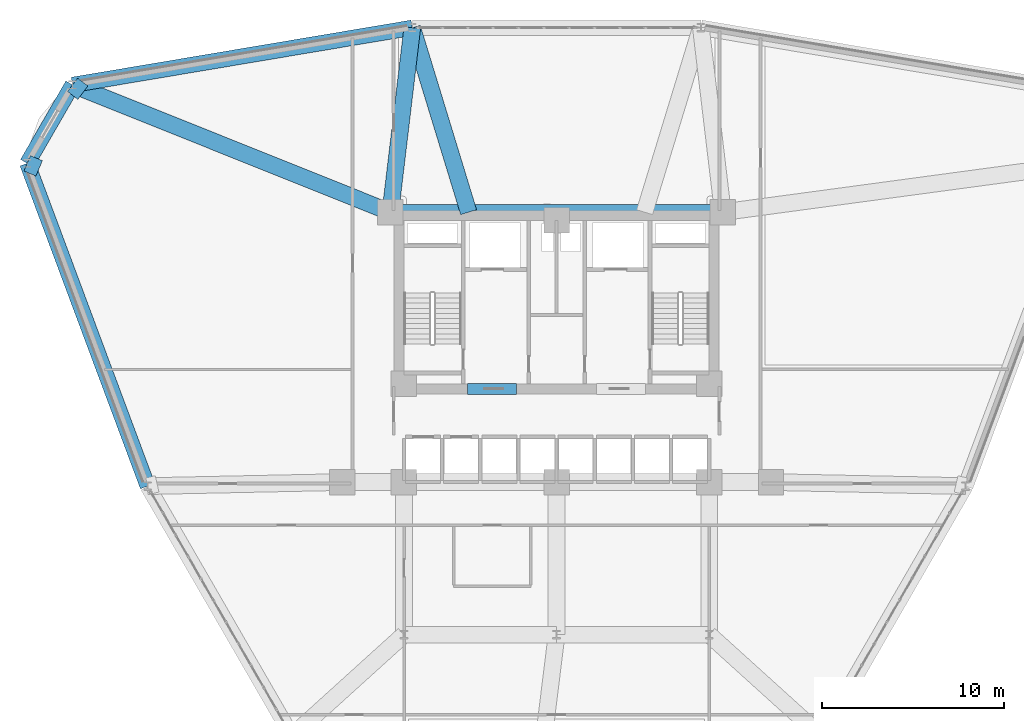
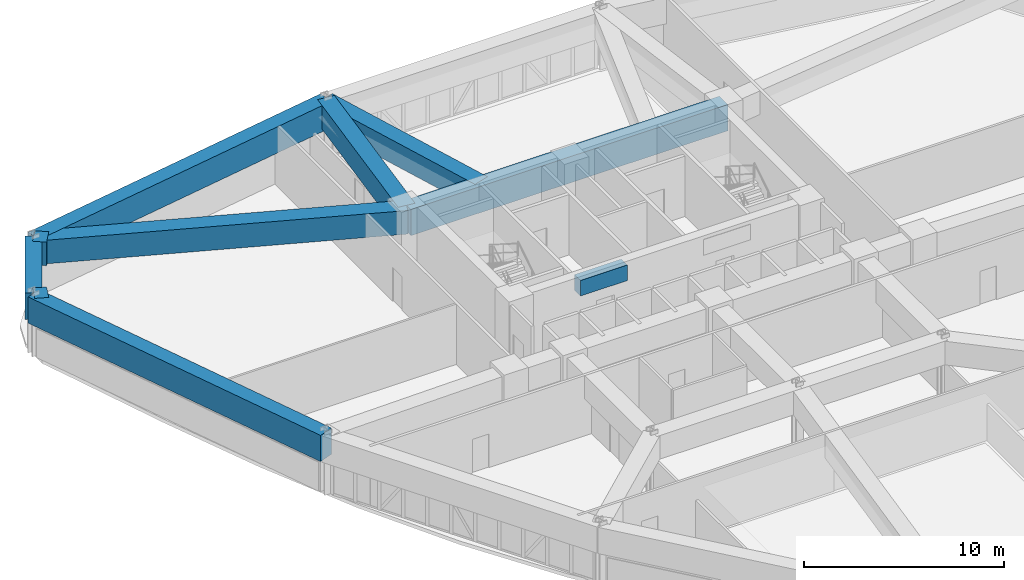
# One storey, part 10 of 20: 10 beams.
"""IFC4 building model written with IfcOpenShell, lengths in metres."""

from ifc_helpers import new_model, si_unit, derived_unit, direction, frame, origin, origin_2d, place, context, subcontext, project, spatial, rectangle, extrude, source, transform, mapped, material, material_profile, profile_set, type_object, element, save


model = new_model("IFC4")

# Units and contexts
model_context = context("Model", 3, precision=1e-05, world=origin(), true_north=direction((0.0, 1.0)))
body_context = subcontext(model_context, "Body", "Model", "MODEL_VIEW")
ifc_project = project(units=[si_unit("LENGTHUNIT", "METRE"), si_unit("AREAUNIT", "SQUARE_METRE"), si_unit("VOLUMEUNIT", "CUBIC_METRE"), si_unit("PLANEANGLEUNIT", "RADIAN"), si_unit("MASSUNIT", "GRAM", prefix="KILO"), derived_unit("THERMALTRANSMITTANCEUNIT", [(si_unit("POWERUNIT", "WATT"), 1), (si_unit("LENGTHUNIT", "METRE"), -2), (si_unit("THERMODYNAMICTEMPERATUREUNIT", "KELVIN"), -1)])], contexts=[model_context])

# Site, building, storey
site_placement = place(None, origin())
site = spatial("IfcSite", under=ifc_project, at=site_placement, CompositionType="ELEMENT")
building_placement = place(site_placement, origin())
building = spatial("IfcBuilding", under=site, at=building_placement, Name="Korsvarv Bourse and Concert Hall", CompositionType="ELEMENT")
storey_placement = place(building_placement, frame((0.0, 0.0, 43.5)))
storey = spatial("IfcBuildingStorey", under=building, at=storey_placement, Name="L10", CompositionType="ELEMENT", Elevation=43.5)

# Beams
ifc_material_1 = material(Name="Concrete C55/67", Category="concrete")
ifc_material_profile_1 = material_profile(ifc_material_1, rectangle(XDim=0.60009765625, YDim=0.949951171875, at=origin_2d()), Name="RC-BM 600x950")
ifc_profile_set_1 = profile_set([ifc_material_profile_1], Name="Concrete C55/67")
beam_type_1 = type_object("IfcBeamType", Name="BM-CPL", PredefinedType="LINTEL", material=ifc_profile_set_1)
shared_shape_1 = source(origin(), body_context, "Body", "SweptSolid", [
    extrude(rectangle(XDim=0.60009765625, YDim=0.949951171875, at=origin_2d()), origin(), (0.0, 0.0, 1.0), 2.699951171875),
])
beam_1_placement = place(storey_placement, frame((31.10009765625, 37.52490234375, 3.205078125), z_axis=(1.0, 0.0, 0.0), x_axis=(0.0, 1.0, 0.0)))
element("IfcBeam", 1, at=beam_1_placement, inside=storey, type_object=beam_type_1, Name="L10 Core Coupling Beam West", PredefinedType="LINTEL", context=body_context, shape_type="MappedRepresentation", body=[
    mapped(shared_shape_1, transform((0.0, 0.0, 0.0), scale=1.0)),
])
ifc_material_profile_2 = material_profile(ifc_material_1, rectangle(XDim=0.85009765625, YDim=1.60009765625, at=origin_2d()), Name="RC-BM 850x1600")
ifc_profile_set_2 = profile_set([ifc_material_profile_2], Name="Concrete C55/67")
beam_type_2 = type_object("IfcBeamType", Name="BM-TR1B", PredefinedType="BEAM", material=ifc_profile_set_2)
shared_shape_2 = source(origin(), body_context, "Body", "SweptSolid", [
    extrude(rectangle(XDim=0.85009765625, YDim=1.60009765625, at=origin_2d()), origin(), (0.0, 0.0, 1.0), 18.2998046875),
])
beam_2_placement = place(storey_placement, frame((26.85009765625, 47.25, 2.8798828125), z_axis=(1.0, 0.0, 0.0), x_axis=(0.0, 1.0, 0.0)))
element("IfcBeam", 2, at=beam_2_placement, inside=storey, type_object=beam_type_2, Name="L10 beam B-TR2", PredefinedType="BEAM", context=body_context, shape_type="MappedRepresentation", body=[
    mapped(shared_shape_2, transform((0.0, 0.0, 0.0), scale=1.0)),
])
shared_shape_3 = source(origin(), body_context, "Body", "SweptSolid", [
    extrude(rectangle(XDim=0.85009765625, YDim=1.60009765625, at=origin_2d()), origin(), (0.0, 0.0, 1.0), 4.985595703125),
])
beam_3_placement = place(storey_placement, frame((9.36279296875, 54.25732421875, 2.8798828125), z_axis=(-0.499983857782, -0.866034723298, 0.0), x_axis=(0.866034723298, -0.499983857782, 0.0)))
element("IfcBeam", 3, at=beam_3_placement, inside=storey, type_object=beam_type_2, Name="L10 beam B-TR2", PredefinedType="BEAM", context=body_context, shape_type="MappedRepresentation", body=[
    mapped(shared_shape_3, transform((0.0, 0.0, 0.0), scale=1.0)),
])
shared_shape_4 = source(origin(), body_context, "Body", "SweptSolid", [
    extrude(rectangle(XDim=0.85009765625, YDim=1.60009765625, at=origin_2d()), origin(), (0.0, 0.0, 1.0), 18.95849609375),
])
for number, where, z_axis, x_axis, name in (
    (4, (28.058837890625, 57.401611328125, 2.8798828125), (-0.98615096674, -0.16585014561, 0.0), (0.16585014561, -0.98615096674, 0.0), "L10 beam B-TR2"),
    (5, (6.8701171875, 49.939697265625, 2.8798828125), (0.349449133057, -0.936955336932, 0.0), (0.936955336932, 0.349449133057, 0.0), "L10 beam B-TR2"),
):
    element("IfcBeam", number, at=place(storey_placement, frame(where, z_axis=z_axis, x_axis=x_axis)), inside=storey, type_object=beam_type_2, Name=name, PredefinedType="BEAM", context=body_context, shape_type="MappedRepresentation", body=[
        mapped(shared_shape_4, transform((0.0, 0.0, 0.0), scale=1.0)),
    ])
ifc_material_2 = material(Name="Concrete C50/60", Category="concrete")
ifc_material_profile_3 = material_profile(ifc_material_2, rectangle(XDim=0.919921875, YDim=1.43994140625, at=origin_2d()), Name="RC-BM 920x1440")
ifc_profile_set_3 = profile_set([ifc_material_profile_3], Name="Concrete C50/60")
beam_type_3 = type_object("IfcBeamType", Name="BM-TR-144", PredefinedType="BEAM", material=ifc_profile_set_3)
shared_shape_5 = source(origin(), body_context, "Body", "SweptSolid", [
    extrude(rectangle(XDim=0.919921875, YDim=1.43994140625, at=origin_2d()), origin(), (0.0, 0.0, 1.0), 10.223388671875),
])
beam_4_placement = place(storey_placement, frame((28.058837890625, 57.401611328125, 2.9599609375), z_axis=(-0.118233633582, -0.992985804476, 0.0), x_axis=(0.992985804476, -0.118233633582, 0.0)))
element("IfcBeam", 6, at=beam_4_placement, inside=storey, type_object=beam_type_3, Name="L10 beam B-TR4", PredefinedType="BEAM", context=body_context, shape_type="MappedRepresentation", body=[
    mapped(shared_shape_5, transform((0.0, 0.0, 0.0), scale=1.0)),
])
shared_shape_6 = source(origin(), body_context, "Body", "SweptSolid", [
    extrude(rectangle(XDim=0.919921875, YDim=1.43994140625, at=origin_2d()), origin(), (0.0, 0.0, 1.0), 18.839111328125),
])
beam_5_placement = place(storey_placement, frame((9.36279296875, 54.25732421875, 2.9599609375), z_axis=(0.928249506062, -0.371958135408, 0.0), x_axis=(0.371958135408, 0.928249506062, 0.0)))
element("IfcBeam", 7, at=beam_5_placement, inside=storey, type_object=beam_type_3, Name="L10 beam B-TR4", PredefinedType="BEAM", context=body_context, shape_type="MappedRepresentation", body=[
    mapped(shared_shape_6, transform((0.0, 0.0, 0.0), scale=1.0)),
])
shared_shape_7 = source(origin(), body_context, "Body", "SweptSolid", [
    extrude(rectangle(XDim=0.919921875, YDim=1.43994140625, at=origin_2d()), origin(), (0.0, 0.0, 1.0), 0.711669921875),
])
for number, where, z_axis, x_axis, name in (
    (8, (9.36279296875, 54.25732421875, 2.9599609375), (0.798226493664, -0.602357422808, 0.0), (0.602357422808, 0.798226493664, 0.0), "L10 beam B-TR4"),
    (9, (6.8701171875, 49.939697265625, 2.9599609375), (0.92091041483, -0.389774303743, 0.0), (0.389774303743, 0.92091041483, 0.0), "L10 beam B-TR4"),
):
    element("IfcBeam", number, at=place(storey_placement, frame(where, z_axis=z_axis, x_axis=x_axis)), inside=storey, type_object=beam_type_3, Name=name, PredefinedType="BEAM", context=body_context, shape_type="MappedRepresentation", body=[
        mapped(shared_shape_7, transform((0.0, 0.0, 0.0), scale=1.0)),
    ])
shared_shape_8 = source(origin(), body_context, "Body", "SweptSolid", [
    extrude(rectangle(XDim=0.919921875, YDim=1.43994140625, at=origin_2d()), origin(), (0.0, 0.0, 1.0), 10.61474609375),
])
beam_6_placement = place(storey_placement, frame((28.058837890625, 57.401611328125, 2.9599609375), z_axis=(0.292148998474, -0.956372815742, 0.0), x_axis=(0.956372815742, 0.292148998474, 0.0)))
element("IfcBeam", 10, at=beam_6_placement, inside=storey, type_object=beam_type_3, Name="L10 beam B-TR4", PredefinedType="BEAM", context=body_context, shape_type="MappedRepresentation", body=[
    mapped(shared_shape_8, transform((0.0, 0.0, 0.0), scale=1.0)),
])

save(model, "model.ifc")
